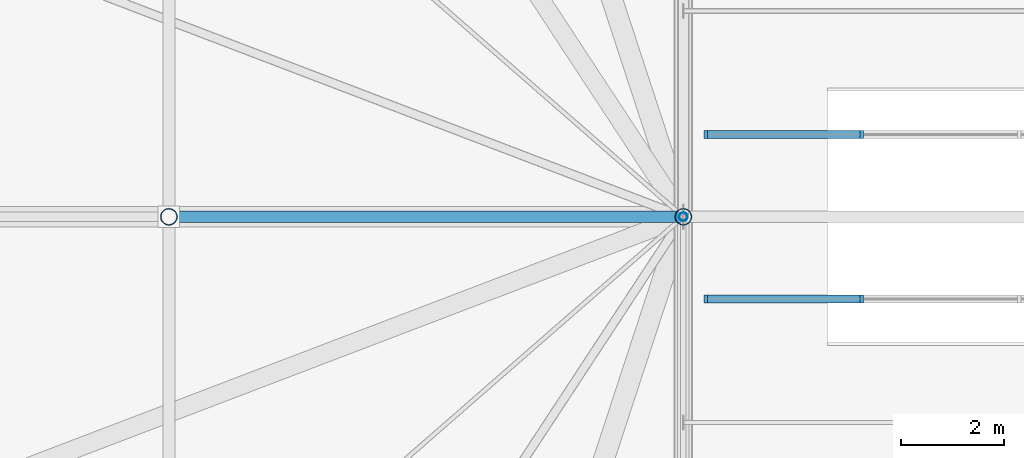
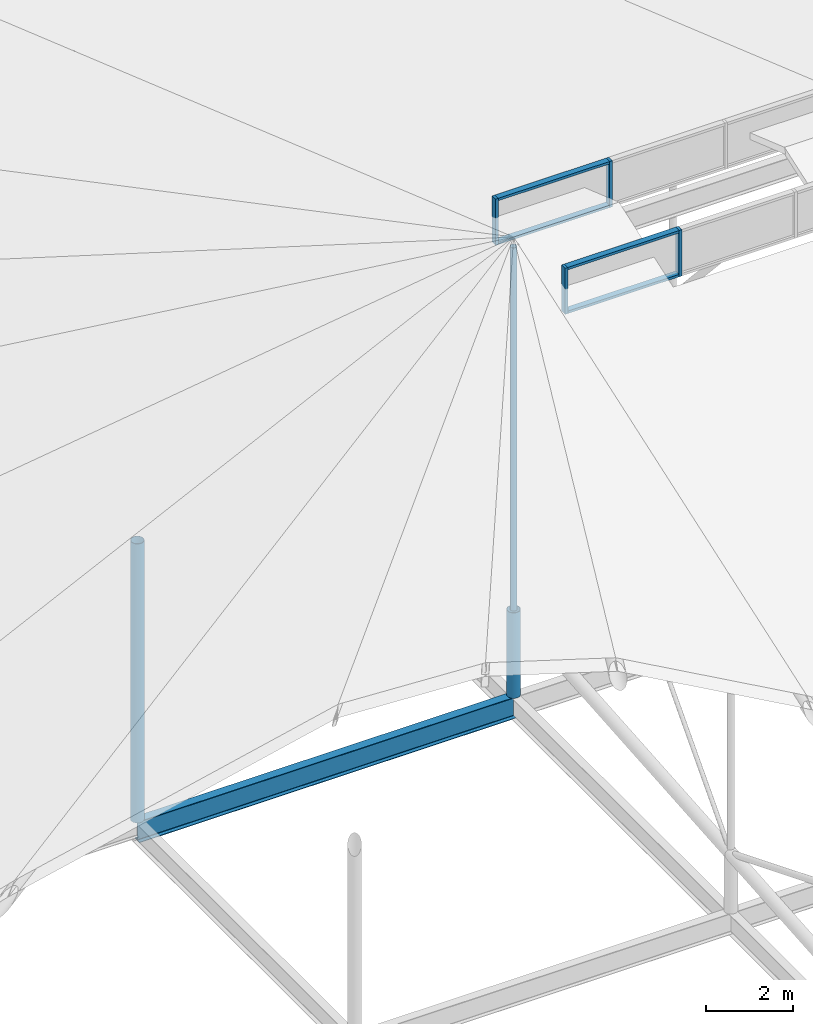
# One storey, part 27 of 93: 11 members, 1 beam, 2 elements without a shape of their own.
"""IFC4 building model written with IfcOpenShell, lengths in metres."""

from ifc_helpers import new_model, si_unit, derived_unit, direction, frame, origin, origin_2d_with_axis, place, context, subcontext, project, spatial, rectangle, hollow_circle, i_section, extrude, material, material_profile, profile_set, type_object, element, aggregate, save


model = new_model("IFC4")

# Units and contexts
model_context = context("Model", 3, precision=1e-05, world=origin(), true_north=direction((0.0, 1.0)))
body_context = subcontext(model_context, "Body", "Model", "MODEL_VIEW")
ifc_project = project(units=[si_unit("LENGTHUNIT", "METRE"), si_unit("AREAUNIT", "SQUARE_METRE"), si_unit("VOLUMEUNIT", "CUBIC_METRE"), si_unit("PLANEANGLEUNIT", "RADIAN"), si_unit("MASSUNIT", "GRAM", prefix="KILO"), derived_unit("THERMALTRANSMITTANCEUNIT", [(si_unit("POWERUNIT", "WATT"), 1), (si_unit("LENGTHUNIT", "METRE"), -2), (si_unit("THERMODYNAMICTEMPERATUREUNIT", "KELVIN"), -1)])], contexts=[model_context])

# Site, building, storey
site_placement = place(None, origin())
site = spatial("IfcSite", under=ifc_project, at=site_placement, CompositionType="ELEMENT")
building_placement = place(site_placement, origin())
building = spatial("IfcBuilding", under=site, at=building_placement, Name="Cinnabar Yard Market Hall", CompositionType="ELEMENT")
storey_placement = place(building_placement, frame((0.0, 0.0, 23.800048828125)))
storey = spatial("IfcBuildingStorey", under=building, at=storey_placement, Name="ROOF", CompositionType="ELEMENT", Elevation=23.800048828125)

# Beam
ifc_material_1 = material(Name="Steel Grade 300 (300 MPa)", Category="steel")
ifc_material_profile_1 = material_profile(ifc_material_1, i_section(OverallWidth=0.22802734375, OverallDepth=0.60205078125, WebThickness=0.010498046875, FlangeThickness=0.014892578125, FilletRadius=0.013916015625, at=origin_2d_with_axis()), Name="610UB101")
ifc_profile_set_1 = profile_set([ifc_material_profile_1], Name="Steel Grade 300 (300 MPa)")
beam_type = type_object("IfcBeamType", Name="BM-B02", PredefinedType="BEAM", material=ifc_profile_set_1)
beam_placement = place(storey_placement, frame((76.0, 44.0, -9.700927734375), z_axis=(1.0, 0.0, 0.0), x_axis=(0.0, 1.0, 0.0)))
element("IfcBeam", 1, at=beam_placement, inside=storey, type_object=beam_type, Name="Hall Longitudinal Tie Girder 00388", PredefinedType="BEAM", context=body_context, shape_type="SweptSolid", body=[
    extrude(i_section(OverallWidth=0.22802734375, OverallDepth=0.60205078125, WebThickness=0.010498046875, FlangeThickness=0.014892578125, FilletRadius=0.013916015625, at=origin_2d_with_axis()), origin(), (0.0, 0.0, 1.0), 10.0),
])

# Curtain wall, members
ifc_material_2 = material(Name="Anodised aluminium ridge clerestory", Category="aluminium")
curtain_wall_type = type_object("IfcCurtainWallType", Name="CW-CWR092x13", PredefinedType="NOTDEFINED", material=ifc_material_2)
curtain_wall_1_placement = place(storey_placement, origin())
curtain_wall_1 = element("IfcCurtainWall", 2, at=curtain_wall_1_placement, inside=storey, type_object=curtain_wall_type, Name="South Ridge Clerestory 1", PredefinedType="NOTDEFINED")
ifc_material_3 = material(Name="Anodised bronze aluminium", Category="aluminium")
ifc_material_profile_2 = material_profile(ifc_material_3, rectangle(XDim=0.159912109375, YDim=0.070068359375, at=origin_2d_with_axis()), Name="MUL-CWR")
ifc_profile_set_2 = profile_set([ifc_material_profile_2], Name="Anodised bronze aluminium")
member_type_1 = type_object("IfcMemberType", Name="CWM-CWR", PredefinedType="MULLION", material=ifc_profile_set_2)
member_1_placement = place(storey_placement, frame((86.43505859375, 42.39990234375, 2.14990234375), z_axis=(0.0, 0.0, 1.0), x_axis=(0.0, 1.0, 0.0)))
member_1 = element("IfcMember", 3, at=member_1_placement, type_object=member_type_1, Name="CWR092x13 mullion 1", PredefinedType="MULLION", context=body_context, shape_type="SweptSolid", body=[
    extrude(rectangle(XDim=0.159912109375, YDim=0.070068359375, at=origin_2d_with_axis()), origin(), (0.0, 0.0, 1.0), 1.300048828125),
])
member_2_placement = place(storey_placement, frame((89.466552734375, 42.39990234375, 2.14990234375), z_axis=(0.0, 0.0, 1.0), x_axis=(0.0, 1.0, 0.0)))
member_2 = element("IfcMember", 4, at=member_2_placement, type_object=member_type_1, Name="CWR092x13 mullion 2", PredefinedType="MULLION", context=body_context, shape_type="SweptSolid", body=[
    extrude(rectangle(XDim=0.159912109375, YDim=0.070068359375, at=origin_2d_with_axis()), origin(), (0.0, 0.0, 1.0), 1.300048828125),
])

curtain_wall_2_placement = place(storey_placement, origin())
curtain_wall_2 = element("IfcCurtainWall", 5, at=curtain_wall_2_placement, inside=storey, type_object=curtain_wall_type, Name="North Ridge Clerestory 1", PredefinedType="NOTDEFINED")
member_3_placement = place(storey_placement, frame((89.466552734375, 45.60009765625, 2.14990234375), z_axis=(0.0, 0.0, 1.0), x_axis=(0.0, -1.0, 0.0)))
member_3 = element("IfcMember", 6, at=member_3_placement, type_object=member_type_1, Name="CWR092x13 mullion 3", PredefinedType="MULLION", context=body_context, shape_type="SweptSolid", body=[
    extrude(rectangle(XDim=0.159912109375, YDim=0.070068359375, at=origin_2d_with_axis()), origin(), (0.0, 0.0, 1.0), 1.300048828125),
])
member_4_placement = place(storey_placement, frame((86.43505859375, 45.60009765625, 2.14990234375), z_axis=(0.0, 0.0, 1.0), x_axis=(0.0, -1.0, 0.0)))
member_4 = element("IfcMember", 7, at=member_4_placement, type_object=member_type_1, Name="CWR092x13 mullion 4", PredefinedType="MULLION", context=body_context, shape_type="SweptSolid", body=[
    extrude(rectangle(XDim=0.159912109375, YDim=0.070068359375, at=origin_2d_with_axis()), origin(), (0.0, 0.0, 1.0), 1.300048828125),
])

# Member
ifc_material_profile_3 = material_profile(ifc_material_3, rectangle(XDim=0.159912109375, YDim=0.070068359375, at=origin_2d_with_axis()), Name="TRN-CWR")
ifc_profile_set_3 = profile_set([ifc_material_profile_3], Name="Anodised bronze aluminium")
member_type_2 = type_object("IfcMemberType", Name="CWT-CWR", PredefinedType="USERDEFINED", material=ifc_profile_set_3)
member_5_placement = place(storey_placement, frame((86.469970703125, 42.39990234375, 2.18505859375), z_axis=(1.0, 0.0, 0.0), x_axis=(0.0, 1.0, 0.0)))
member_5 = element("IfcMember", 8, at=member_5_placement, type_object=member_type_2, Name="CWR092x13 transom 1.1", ObjectType="TRANSOM", PredefinedType="USERDEFINED", context=body_context, shape_type="SweptSolid", body=[
    extrude(rectangle(XDim=0.159912109375, YDim=0.070068359375, at=origin_2d_with_axis()), origin(), (0.0, 0.0, 1.0), 2.961669921875),
])

member_6_placement = place(storey_placement, frame((86.469970703125, 42.39990234375, 3.4150390625), z_axis=(1.0, 0.0, 0.0), x_axis=(0.0, 1.0, 0.0)))
member_6 = element("IfcMember", 9, at=member_6_placement, type_object=member_type_2, Name="CWR092x13 transom 1.2", ObjectType="TRANSOM", PredefinedType="USERDEFINED", context=body_context, shape_type="SweptSolid", body=[
    extrude(rectangle(XDim=0.159912109375, YDim=0.070068359375, at=origin_2d_with_axis()), origin(), (0.0, 0.0, 1.0), 2.961669921875),
])

aggregate(curtain_wall_1, [member_1, member_2, member_5, member_6])

member_7_placement = place(storey_placement, frame((89.431640625, 45.60009765625, 2.18505859375), z_axis=(-1.0, 0.0, 0.0), x_axis=(0.0, -1.0, 0.0)))
member_7 = element("IfcMember", 10, at=member_7_placement, type_object=member_type_2, Name="CWR092x13 transom 3.1", ObjectType="TRANSOM", PredefinedType="USERDEFINED", context=body_context, shape_type="SweptSolid", body=[
    extrude(rectangle(XDim=0.159912109375, YDim=0.070068359375, at=origin_2d_with_axis()), origin(), (0.0, 0.0, 1.0), 2.961669921875),
])

member_8_placement = place(storey_placement, frame((89.431640625, 45.60009765625, 3.4150390625), z_axis=(-1.0, 0.0, 0.0), x_axis=(0.0, -1.0, 0.0)))
member_8 = element("IfcMember", 11, at=member_8_placement, type_object=member_type_2, Name="CWR092x13 transom 3.2", ObjectType="TRANSOM", PredefinedType="USERDEFINED", context=body_context, shape_type="SweptSolid", body=[
    extrude(rectangle(XDim=0.159912109375, YDim=0.070068359375, at=origin_2d_with_axis()), origin(), (0.0, 0.0, 1.0), 2.961669921875),
])

aggregate(curtain_wall_2, [member_3, member_4, member_7, member_8])

# Members
ifc_material_4 = material(Name="Spotted-gum glulam-clad steel Grade 350 (350 MPa)", Category="steel")
ifc_material_profile_4 = material_profile(ifc_material_4, hollow_circle(Radius=0.161865234375, WallThickness=0.009521484375, at=origin_2d_with_axis()), Name="323.9x9.5CHS")
ifc_profile_set_4 = profile_set([ifc_material_profile_4], Name="Spotted-gum glulam-clad steel Grade 350 (350 MPa)")
member_type_3 = type_object("IfcMemberType", Name="MB-ST01", PredefinedType="STRUT", material=ifc_profile_set_4)
member_9_placement = place(storey_placement, frame((86.0, 44.0, -9.400146484375), z_axis=(0.0, 0.0, 1.0), x_axis=(1.0, 0.0, 0.0)))
element("IfcMember", 12, at=member_9_placement, inside=storey, type_object=member_type_3, Name="Truss Bearing Post 86-44", PredefinedType="STRUT", context=body_context, shape_type="SweptSolid", body=[
    extrude(hollow_circle(Radius=0.161865234375, WallThickness=0.009521484375, at=origin_2d_with_axis()), origin(), (0.0, 0.0, 1.0), 2.400146484375),
])
member_10_placement = place(storey_placement, frame((76.0, 44.0, -9.400146484375), z_axis=(0.0, 0.0, 1.0), x_axis=(1.0, 0.0, 0.0)))
element("IfcMember", 13, at=member_10_placement, inside=storey, type_object=member_type_3, Name="Apsidal Roof Post 76-44", PredefinedType="STRUT", context=body_context, shape_type="SweptSolid", body=[
    extrude(hollow_circle(Radius=0.161865234375, WallThickness=0.009521484375, at=origin_2d_with_axis()), origin(), (0.0, 0.0, 1.0), 7.840087890625),
])
ifc_material_5 = material(Name="Cold-formed steel C350L0", Category="steel")
ifc_material_profile_5 = material_profile(ifc_material_5, hollow_circle(Radius=0.084228515625, WallThickness=0.00634765625, at=origin_2d_with_axis()), Name="168.3x6.4CHS")
ifc_profile_set_5 = profile_set([ifc_material_profile_5], Name="Cold-formed steel C350L0")
member_type_4 = type_object("IfcMemberType", Name="MB-WB01", PredefinedType="STRUT", material=ifc_profile_set_5)
member_11_placement = place(storey_placement, frame((86.0, 44.0, -7.0), z_axis=(0.0, 0.0, 1.0), x_axis=(1.0, 0.0, 0.0)))
element("IfcMember", 14, at=member_11_placement, inside=storey, type_object=member_type_4, Name="Hall Truss 86 Post 3", PredefinedType="STRUT", context=body_context, shape_type="SweptSolid", body=[
    extrude(hollow_circle(Radius=0.084228515625, WallThickness=0.00634765625, at=origin_2d_with_axis()), origin(), (0.0, 0.0, 1.0), 10.199951171875),
])

save(model, "model.ifc")
